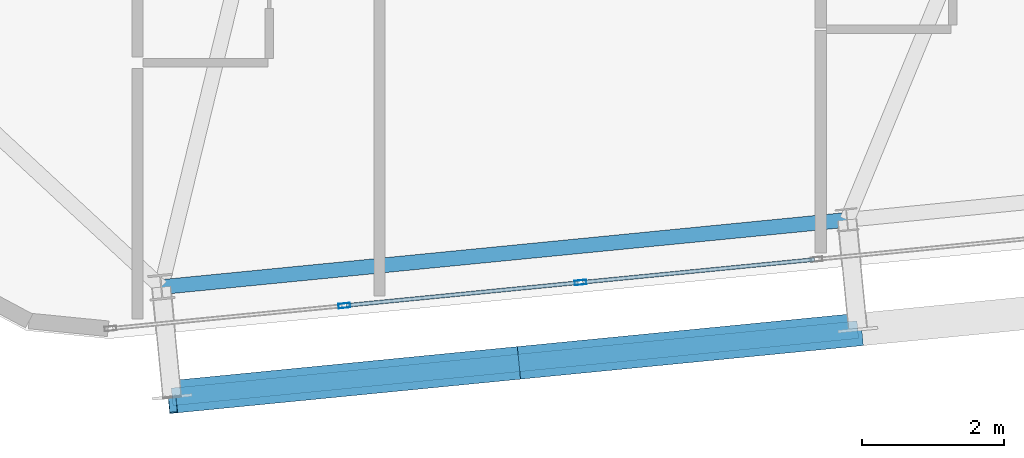
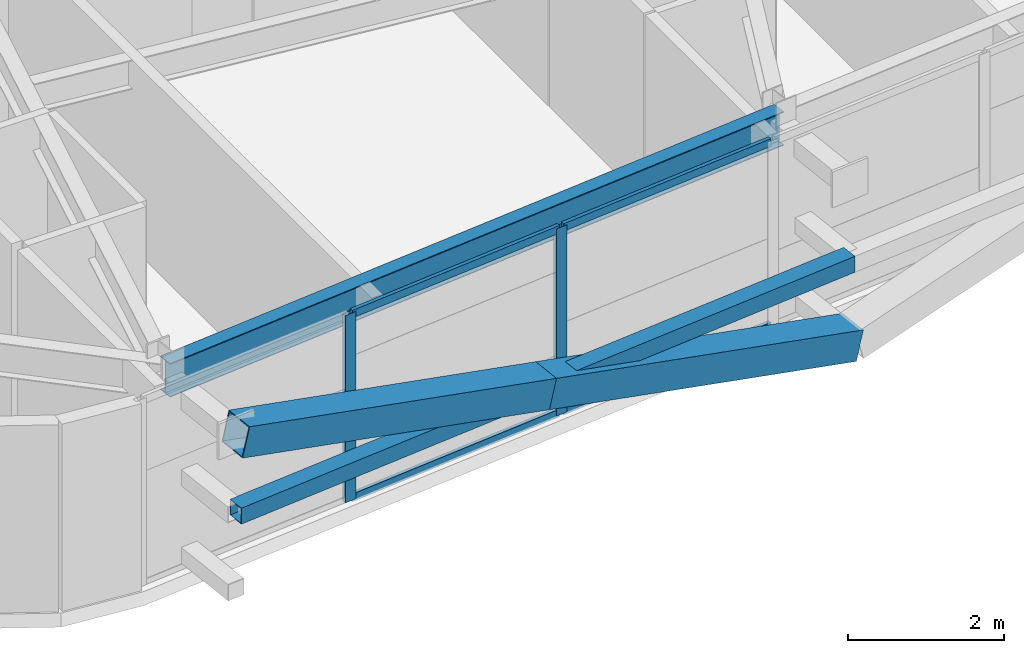
# One storey, part 6 of 53: 9 members, 1 beam, 1 element without a shape of its own.
"""IFC4 building model written with IfcOpenShell, lengths in metres."""

import ifcopenshell
import ifcopenshell.guid

model = None  # the IFC model being written
_history = None  # IfcOwnerHistory: only IFC2X3 demands one
_inside = {}  # id of a spatial element -> (the spatial element, [elements in it])
_under = {}  # id of a project, library or spatial element -> (it, [spatial elements below it])
_declared = {}  # id of a project -> (the project, [libraries it declares])
_typed = {}  # id of a type object -> (the type object, [elements of that type])
_made_of = {}  # id of a material, layer set ... -> (it, [elements and type objects made of it])


def new_model(schema):
    """Start an empty IFC model of exactly this schema.

    Asked for "IFC4X3", IfcOpenShell would pick the latest addendum, in which some entities
    have other attributes; the version numbers below select the first issue.
    IFC2X3 requires an IfcOwnerHistory on every rooted entity: one is made here for all.
    """
    global model, _history
    if schema == "IFC4X3":
        model = ifcopenshell.file(schema_version=(4, 3, 0, 0))
    else:
        model = ifcopenshell.file(schema=schema)
    _inside.clear()
    _under.clear()
    _declared.clear()
    _typed.clear()
    _made_of.clear()
    _history = None
    if model.schema == "IFC2X3":
        org = make("IfcOrganization", Name="unknown")
        user = make(
            "IfcPersonAndOrganization",
            ThePerson=make("IfcPerson", FamilyName="unknown"),
            TheOrganization=org,
        )
        app = make(
            "IfcApplication",
            ApplicationDeveloper=org,
            Version="unknown",
            ApplicationFullName="unknown",
            ApplicationIdentifier="unknown",
        )
        _history = make(
            "IfcOwnerHistory",
            OwningUser=user,
            OwningApplication=app,
            ChangeAction="ADDED",
            CreationDate=0,
        )
    return model


def make(cls, **values):
    """One entity of the class cls with the attributes given. An attribute that is None is left unset."""
    return model.create_entity(
        cls, **{name: value for name, value in values.items() if value is not None}
    )


def rooted(cls, **values):
    """An entity with a GlobalId (a new one), such as an element, a storey or a relation."""
    return make(cls, GlobalId=ifcopenshell.guid.new(), OwnerHistory=_history, **values)


def si_unit(unit_type, name, prefix=None):
    """IfcSIUnit, for example si_unit("LENGTHUNIT", "METRE", prefix="MILLI")."""
    return make("IfcSIUnit", UnitType=unit_type, Prefix=prefix, Name=name)


def assignment(units):
    """IfcUnitAssignment: the units of a project."""
    return None if units is None else make("IfcUnitAssignment", Units=units)


def point(xyz):
    """IfcCartesianPoint."""
    return None if xyz is None else make("IfcCartesianPoint", Coordinates=xyz)


def direction(xyz):
    """IfcDirection."""
    return None if xyz is None else make("IfcDirection", DirectionRatios=xyz)


def frame(location, z_axis=None, x_axis=None):
    """IfcAxis2Placement3D, a coordinate frame: its origin and axes. An axis left out is left unset."""
    return make(
        "IfcAxis2Placement3D",
        Location=point(location),
        Axis=direction(z_axis),
        RefDirection=direction(x_axis),
    )


def frame_2d(location, x_axis=None):
    """IfcAxis2Placement2D, a coordinate frame in the plane: its origin and x axis."""
    return make(
        "IfcAxis2Placement2D", Location=point(location), RefDirection=direction(x_axis)
    )


def origin():
    """The frame at (0, 0, 0) with its axes left unset."""
    return frame((0.0, 0.0, 0.0))


def origin_2d():
    """The frame at (0, 0) in the plane with its x axis left unset."""
    return frame_2d((0.0, 0.0))


def place(relative_to, where):
    """IfcLocalPlacement: puts the frame where relative to a parent placement (None: the world)."""
    return make(
        "IfcLocalPlacement", PlacementRelTo=relative_to, RelativePlacement=where
    )


def context(
    kind, dimensions, precision=None, world=None, true_north=None, identifier=None
):
    """IfcGeometricRepresentationContext, for example the 3D "Model" context."""
    return make(
        "IfcGeometricRepresentationContext",
        ContextIdentifier=identifier,
        ContextType=kind,
        CoordinateSpaceDimension=dimensions,
        Precision=precision,
        WorldCoordinateSystem=world,
        TrueNorth=true_north,
    )


def subcontext(parent, identifier, kind, view, scale=None):
    """IfcGeometricRepresentationSubContext, for example "Body" below "Model"."""
    return make(
        "IfcGeometricRepresentationSubContext",
        ContextIdentifier=identifier,
        ContextType=kind,
        ParentContext=parent,
        TargetScale=scale,
        TargetView=view,
    )


def project(units=None, contexts=None):
    """IfcProject with its units and contexts."""
    return rooted(
        "IfcProject",
        Name="project",
        RepresentationContexts=contexts,
        UnitsInContext=assignment(units),
    )


def spatial(cls, under=None, at=None, **own):
    """A site, building, storey or space (cls), placed at a placement, below another one or the project."""
    s = rooted(cls, ObjectPlacement=at, **own)
    if under is not None:
        _under.setdefault(under.id(), (under, []))[1].append(s)
    return s


def profile(cls, at=None, kind="AREA", **sizes):
    """A parametric profile (cls). Its sizes go by their IFC names, for example OverallWidth=200.0."""
    return make(cls, ProfileType=kind, Position=at, **sizes)


def hollow_rectangle(**sizes):
    """IfcRectangleHollowProfileDef."""
    return profile("IfcRectangleHollowProfileDef", **sizes)


def i_section(**sizes):
    """IfcIShapeProfileDef."""
    return profile("IfcIShapeProfileDef", **sizes)


def extrude(swept, where, along, depth):
    """IfcExtrudedAreaSolid: the profile swept, set in the frame where, extruded along a direction by depth."""
    return make(
        "IfcExtrudedAreaSolid",
        SweptArea=swept,
        Position=where,
        ExtrudedDirection=direction(along),
        Depth=depth,
    )


def shape(context_of_items, identifier, shape_type, items):
    """IfcShapeRepresentation: the items that make up one representation, for example the "Body"."""
    return make(
        "IfcShapeRepresentation",
        ContextOfItems=context_of_items,
        RepresentationIdentifier=identifier,
        RepresentationType=shape_type,
        Items=items,
    )


def source(mapping_origin, context_of_items, identifier, shape_type, items):
    """IfcRepresentationMap: a shape defined once, which mapped items show again and again."""
    return make(
        "IfcRepresentationMap",
        MappingOrigin=mapping_origin,
        MappedRepresentation=shape(context_of_items, identifier, shape_type, items),
    )


def transform(
    local_origin,
    x_axis=None,
    y_axis=None,
    z_axis=None,
    scale=None,
    scale2=None,
    scale3=None,
    uniform=True,
):
    """IfcCartesianTransformationOperator3D, or its non-uniform kind. x_axis, y_axis, z_axis: its Axis1, 2, 3."""
    if uniform:
        return make(
            "IfcCartesianTransformationOperator3D",
            Axis1=direction(x_axis),
            Axis2=direction(y_axis),
            LocalOrigin=point(local_origin),
            Scale=scale,
            Axis3=direction(z_axis),
        )
    return make(
        "IfcCartesianTransformationOperator3DnonUniform",
        Axis1=direction(x_axis),
        Axis2=direction(y_axis),
        LocalOrigin=point(local_origin),
        Scale=scale,
        Axis3=direction(z_axis),
        Scale2=scale2,
        Scale3=scale3,
    )


def mapped(mapping_source, mapping_target):
    """IfcMappedItem: shows the shape of a source again, moved by a transform."""
    return make(
        "IfcMappedItem", MappingSource=mapping_source, MappingTarget=mapping_target
    )


def material(Name=None, Category=None):
    """IfcMaterial."""
    return make("IfcMaterial", Name=Name, Category=Category)


def layer(
    of_material, thickness, ventilated=None, Name=None, Category=None, Priority=None
):
    """IfcMaterialLayer: one layer of a wall or slab, of a material (None: an air gap)."""
    return make(
        "IfcMaterialLayer",
        Material=of_material,
        LayerThickness=thickness,
        IsVentilated=ventilated,
        Name=Name,
        Category=Category,
        Priority=Priority,
    )


def layer_set(layers, Name=None):
    """IfcMaterialLayerSet."""
    return make("IfcMaterialLayerSet", MaterialLayers=layers, LayerSetName=Name)


def material_profile(
    of_material, cross_section, Name=None, Category=None, Priority=None
):
    """IfcMaterialProfile: a cross section and its material."""
    return make(
        "IfcMaterialProfile",
        Name=Name,
        Material=of_material,
        Profile=cross_section,
        Priority=Priority,
        Category=Category,
    )


def profile_set(profiles, Name=None, composite=None):
    """IfcMaterialProfileSet."""
    return make(
        "IfcMaterialProfileSet",
        Name=Name,
        MaterialProfiles=profiles,
        CompositeProfile=composite,
    )


def made_of(thing, what):
    """Note that an element or type object is made of a material, layer set ...; save() writes the relation."""
    if what is not None:
        _made_of.setdefault(what.id(), (what, []))[1].append(thing)
    return thing


def type_object(cls, material=None, **own):
    """A type object (cls), such as IfcWallType, which elements share."""
    return made_of(rooted(cls, **own), material)


def element(
    cls,
    number,
    at=None,
    inside=None,
    cuts=None,
    type_object=None,
    material=None,
    context=None,
    identifier="Body",
    shape_type=None,
    held_by="IfcProductDefinitionShape",
    body=None,
    shapes=None,
    **own,
):
    """One element of the class cls, such as IfcWall. Its Tag is "e" and its number.

    at: its placement. inside: the storey or other place that contains it. cuts: it is an
    opening in that element (IfcRelVoidsElement). A single representation is given by context,
    identifier, shape_type and body (its items); several are given by shapes. held_by: the class
    of the entity that holds the representations. save() writes the other relations.
    """
    e = rooted(cls, Tag="e%d" % number, ObjectPlacement=at, **own)
    if body is not None:
        shapes = [shape(context, identifier, shape_type, body)]
    if shapes is not None:
        e.Representation = make(held_by, Representations=shapes)
    if inside is not None:
        _inside.setdefault(inside.id(), (inside, []))[1].append(e)
    if cuts is not None:
        rooted(
            "IfcRelVoidsElement", RelatingBuildingElement=cuts, RelatedOpeningElement=e
        )
    if type_object is not None:
        _typed.setdefault(type_object.id(), (type_object, []))[1].append(e)
    return made_of(e, material)


def aggregate(whole, parts):
    """IfcRelAggregates: a whole, such as a stair, and the parts it consists of."""
    return rooted("IfcRelAggregates", RelatingObject=whole, RelatedObjects=parts)


def save(model, path):
    """Write the relations noted so far, then the file.

    IfcRelAggregates (storeys below a building ...), IfcRelContainedInSpatialStructure (elements
    in a storey), IfcRelDefinesByType, IfcRelAssociatesMaterial and IfcRelDeclares: one each for
    every whole, place, type object, material and project.
    """
    for whole, parts in _under.values():
        aggregate(whole, parts)
    for where, things in _inside.values():
        rooted(
            "IfcRelContainedInSpatialStructure",
            RelatedElements=things,
            RelatingStructure=where,
        )
    for kind, things in _typed.values():
        rooted("IfcRelDefinesByType", RelatedObjects=things, RelatingType=kind)
    for what, things in _made_of.values():
        rooted("IfcRelAssociatesMaterial", RelatedObjects=things, RelatingMaterial=what)
    for by, libraries in _declared.values():
        rooted("IfcRelDeclares", RelatingContext=by, RelatedDefinitions=libraries)
    model.write(path)


model = new_model("IFC4")

# Units and contexts
model_context = context("Model", 3, precision=1e-05, world=origin(), true_north=direction((0.0, 1.0)))
body_context = subcontext(model_context, "Body", "Model", "MODEL_VIEW")
ifc_project = project(units=[si_unit("LENGTHUNIT", "METRE"), si_unit("AREAUNIT", "SQUARE_METRE"), si_unit("VOLUMEUNIT", "CUBIC_METRE"), si_unit("PLANEANGLEUNIT", "RADIAN"), si_unit("MASSUNIT", "GRAM", prefix="KILO")], contexts=[model_context])

# Site, building, storey
site_placement = place(None, origin())
site = spatial("IfcSite", under=ifc_project, at=site_placement, CompositionType="ELEMENT")
building_placement = place(site_placement, origin())
building = spatial("IfcBuilding", under=site, at=building_placement, Name="Taldren Reach Tower", CompositionType="ELEMENT")
storey_placement = place(building_placement, frame((0.0, 0.0, 84.0)))
storey = spatial("IfcBuildingStorey", under=building, at=storey_placement, Name="L25", CompositionType="ELEMENT", Elevation=84.0)

# Beam
ifc_material_1 = material(Name="Steel Gr 350 (350PLUS)", Category="steel")
ifc_material_profile_1 = material_profile(ifc_material_1, i_section(OverallWidth=0.208984375, OverallDepth=0.528076171875, WebThickness=0.009521484375, FlangeThickness=0.01318359375, at=origin_2d()), Name="530UB82.0")
ifc_profile_set_1 = profile_set([ifc_material_profile_1], Name="Steel Gr 350 (350PLUS)")
beam_type = type_object("IfcBeamType", Name="SP-UB530B", PredefinedType="SPANDREL", material=ifc_profile_set_1)
shared_shape_1 = source(origin(), body_context, "Body", "SweptSolid", [
    extrude(i_section(OverallWidth=0.208984375, OverallDepth=0.528076171875, WebThickness=0.009521484375, FlangeThickness=0.01318359375, at=origin_2d()), origin(), (0.0, 0.0, 1.0), 9.679931640625),
])
beam_placement = place(storey_placement, frame((14.93408203125, -0.079833984375, 2.666015625), z_axis=(0.995227612658, 0.097580730699, 0.0), x_axis=(-0.097580730699, 0.995227612658, 0.0)))
element("IfcBeam", 1, at=beam_placement, inside=storey, type_object=beam_type, Name="Perimeter spandrel B2 S1-S2 L25", PredefinedType="SPANDREL", context=body_context, shape_type="MappedRepresentation", body=[
    mapped(shared_shape_1, transform((0.0, 0.0, 0.0), scale=1.0)),
])

# Members
ifc_material_2 = material(Name="Steel Gr 450 (C450L0)", Category="steel")
ifc_material_profile_2 = material_profile(ifc_material_2, hollow_rectangle(XDim=0.4599609375, YDim=0.4599609375, WallThickness=0.01611328125, at=origin_2d()), Name="460x460x16.0SHS")
ifc_profile_set_2 = profile_set([ifc_material_profile_2], Name="Steel Gr 450 (C450L0)")
member_type_1 = type_object("IfcMemberType", Name="MB-EXO457", PredefinedType="BRACE", material=ifc_profile_set_2)
shared_shape_2 = source(origin(), body_context, "Body", "SweptSolid", [
    extrude(hollow_rectangle(XDim=0.4599609375, YDim=0.4599609375, WallThickness=0.01611328125, at=origin_2d()), origin(), (0.0, 0.0, 1.0), 4.990234375),
])
for number, where, z_axis, x_axis, name in (
    (2, (24.71923828125, -0.677978515625, 0.219970703125), (-0.965275526283, -0.094619506732, 0.243496010862), (0.097555749586, -0.995230061706, 0.0), "Exoskeleton Diagrid Brace B2-S1 L25"),
    (3, (19.90234375, -1.150146484375, 1.43505859375), (-0.965282554799, -0.094669120301, 0.243448859234), (0.097605711627, -0.995225162995, 0.0), "Exoskeleton Diagrid Brace B2-S1 L25"),
):
    element("IfcMember", number, at=place(storey_placement, frame(where, z_axis=z_axis, x_axis=x_axis)), inside=storey, type_object=member_type_1, Name=name, PredefinedType="BRACE", context=body_context, shape_type="MappedRepresentation", body=[
        mapped(shared_shape_2, transform((0.0, 0.0, 0.0), scale=1.0)),
    ])
ifc_material_3 = material(Name="Steel Gr 350 (C350L0)", Category="steel")
ifc_material_profile_3 = material_profile(ifc_material_3, hollow_rectangle(XDim=0.25, YDim=0.25, WallThickness=0.010009765625, at=origin_2d()), Name="250x250x10.0SHS")
ifc_profile_set_3 = profile_set([ifc_material_profile_3], Name="Steel Gr 350 (C350L0)")
member_type_2 = type_object("IfcMemberType", Name="MB-POST250", PredefinedType="POST", material=ifc_profile_set_3)
shared_shape_3 = source(origin(), body_context, "Body", "SweptSolid", [
    extrude(hollow_rectangle(XDim=0.25, YDim=0.25, WallThickness=0.010009765625, at=origin_2d()), origin(), (0.0, 0.0, 1.0), 9.679931640625),
])
member_1_placement = place(storey_placement, frame((15.08544921875, -1.62255859375, 1.43505859375), z_axis=(0.995227612658, 0.097580730699, 0.0), x_axis=(-0.097580730699, 0.995227612658, 0.0)))
element("IfcMember", 4, at=member_1_placement, inside=storey, type_object=member_type_2, Name="Exoskeleton mid-height ring chord B2-S1 L25", PredefinedType="POST", context=body_context, shape_type="MappedRepresentation", body=[
    mapped(shared_shape_3, transform((0.0, 0.0, 0.0), scale=1.0)),
])

# Curtain wall, members
ifc_material_4 = material(Name="Aluminium and Low-E Glass Unitised System", Category="aluminium")
ifc_layer = layer(ifc_material_4, 0.159912109375)
ifc_layer_set = layer_set([ifc_layer], Name="Aluminium and Low-E Glass Unitised System")
curtain_wall_type = type_object("IfcCurtainWallType", Name="CW-SYS-3", PredefinedType="NOTDEFINED", material=ifc_layer_set)
curtain_wall_placement = place(storey_placement, origin())
curtain_wall = element("IfcCurtainWall", 5, at=curtain_wall_placement, inside=storey, type_object=curtain_wall_type, Name="Unitised curtain wall CW-L25-S", PredefinedType="NOTDEFINED")
ifc_material_5 = material(Name="Anodised Aluminium 6063-T6", Category="aluminium")
ifc_material_profile_4 = material_profile(ifc_material_5, hollow_rectangle(XDim=0.06494140625, YDim=0.1650390625, WallThickness=0.00390625, at=origin_2d()), Name="ALU-165x65x4RHS")
ifc_profile_set_4 = profile_set([ifc_material_profile_4], Name="Anodised Aluminium 6063-T6")
member_type_3 = type_object("IfcMemberType", Name="CW-MUL-165", PredefinedType="MULLION", material=ifc_profile_set_4)
shared_shape_4 = source(origin(), body_context, "Body", "SweptSolid", [
    extrude(hollow_rectangle(XDim=0.06494140625, YDim=0.1650390625, WallThickness=0.00390625, at=origin_2d()), origin(), (0.0, 0.0, 1.0), 2.929931640625),
])
member_2_placement = place(storey_placement, frame((17.505126953125, -0.34033203125, 0.0), z_axis=(0.0, 0.0, 1.0), x_axis=(-0.097582999046, 0.995227390247, 0.0)))
member_2 = element("IfcMember", 6, at=member_2_placement, type_object=member_type_3, Name="CW-3 mullion 2", PredefinedType="MULLION", context=body_context, shape_type="MappedRepresentation", body=[
    mapped(shared_shape_4, transform((0.0, 0.0, 0.0), scale=1.0)),
])
member_3_placement = place(storey_placement, frame((20.822509765625, -0.014892578125, 0.0), z_axis=(0.0, 0.0, 1.0), x_axis=(-0.097582999046, 0.995227390247, 0.0)))
member_3 = element("IfcMember", 7, at=member_3_placement, type_object=member_type_3, Name="CW-3 mullion 3", PredefinedType="MULLION", context=body_context, shape_type="MappedRepresentation", body=[
    mapped(shared_shape_4, transform((0.0, 0.0, 0.0), scale=1.0)),
])
ifc_material_profile_5 = material_profile(ifc_material_5, hollow_rectangle(XDim=0.054931640625, YDim=0.1201171875, WallThickness=0.0029296875, at=origin_2d()), Name="ALU-120x55x3RHS")
ifc_profile_set_5 = profile_set([ifc_material_profile_5], Name="Anodised Aluminium 6063-T6")
member_type_4 = type_object("IfcMemberType", Name="CW-TRN-135", PredefinedType="USERDEFINED", material=ifc_profile_set_5)
shared_shape_5 = source(origin(), body_context, "Body", "SweptSolid", [
    extrude(hollow_rectangle(XDim=0.054931640625, YDim=0.1201171875, WallThickness=0.0029296875, at=origin_2d()), origin(), (0.0, 0.0, 1.0), 3.268310546875),
])
member_4_placement = place(storey_placement, frame((17.53759765625, -0.337158203125, 0.027587890625), z_axis=(0.995222549564, 0.097632355496, 0.0), x_axis=(-0.097632355496, 0.995222549564, 0.0)))
member_4 = element("IfcMember", 8, at=member_4_placement, type_object=member_type_4, Name="CW-3 transom 2.1", ObjectType="TRANSOM", PredefinedType="USERDEFINED", context=body_context, shape_type="MappedRepresentation", body=[
    mapped(shared_shape_5, transform((0.0, 0.0, 0.0), scale=1.0)),
])
member_5_placement = place(storey_placement, frame((17.53759765625, -0.337158203125, 2.902587890625), z_axis=(0.995222549564, 0.097632355496, 0.0), x_axis=(-0.097632355496, 0.995222549564, 0.0)))
member_5 = element("IfcMember", 9, at=member_5_placement, type_object=member_type_4, Name="CW-3 transom 2.2", ObjectType="TRANSOM", PredefinedType="USERDEFINED", context=body_context, shape_type="MappedRepresentation", body=[
    mapped(shared_shape_5, transform((0.0, 0.0, 0.0), scale=1.0)),
])
member_6_placement = place(storey_placement, frame((20.85498046875, -0.01171875, 0.027587890625), z_axis=(0.99522980512, 0.097558367146, 0.0), x_axis=(-0.097558367146, 0.99522980512, 0.0)))
member_6 = element("IfcMember", 10, at=member_6_placement, type_object=member_type_4, Name="CW-3 transom 3.1", ObjectType="TRANSOM", PredefinedType="USERDEFINED", context=body_context, shape_type="MappedRepresentation", body=[
    mapped(shared_shape_5, transform((0.0, 0.0, 0.0), scale=1.0)),
])
member_7_placement = place(storey_placement, frame((20.85498046875, -0.01171875, 2.902587890625), z_axis=(0.99522980512, 0.097558367146, 0.0), x_axis=(-0.097558367146, 0.99522980512, 0.0)))
member_7 = element("IfcMember", 11, at=member_7_placement, type_object=member_type_4, Name="CW-3 transom 3.2", ObjectType="TRANSOM", PredefinedType="USERDEFINED", context=body_context, shape_type="MappedRepresentation", body=[
    mapped(shared_shape_5, transform((0.0, 0.0, 0.0), scale=1.0)),
])
aggregate(curtain_wall, [member_2, member_3, member_4, member_5, member_6, member_7])

save(model, "model.ifc")
